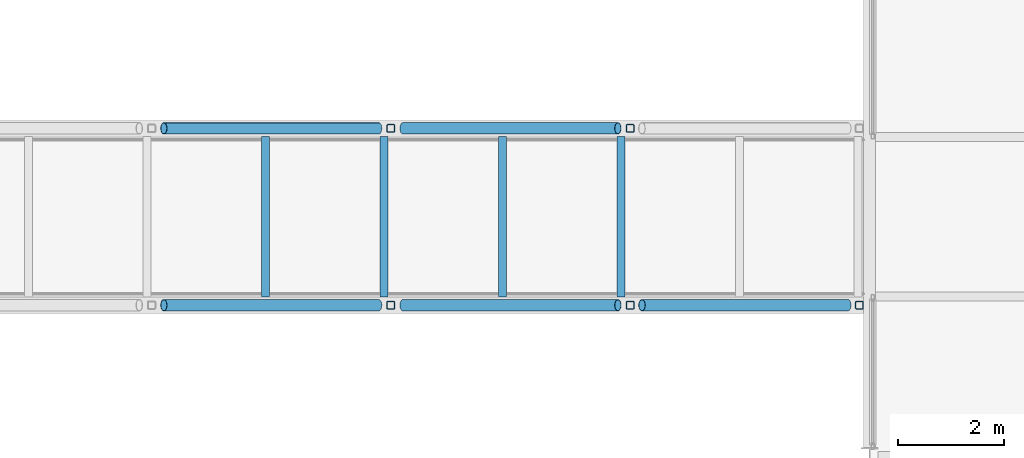
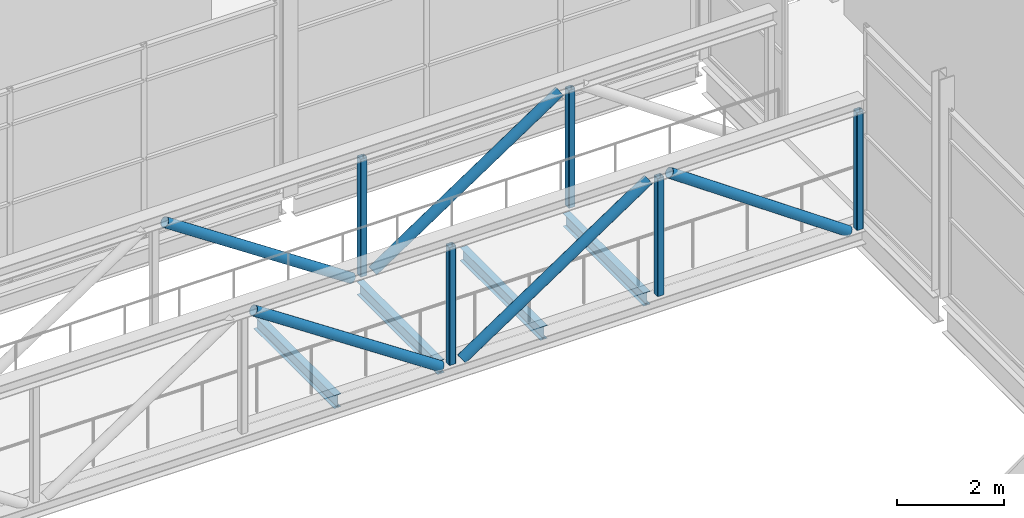
# One storey, part 64 of 115: 10 members, 4 beams.
"""IFC4 building model written with IfcOpenShell, lengths in metres."""

from ifc_helpers import new_model, si_unit, direction, frame, origin, origin_2d, place, context, subcontext, project, spatial, hollow_rectangle, hollow_circle, i_section, extrude, material, material_profile, profile_set, type_object, element, save


model = new_model("IFC4")

# Units and contexts
model_context = context("Model", 3, precision=1e-05, world=origin(), true_north=direction((0.0, 1.0)))
body_context = subcontext(model_context, "Body", "Model", "MODEL_VIEW")
ifc_project = project(units=[si_unit("LENGTHUNIT", "METRE"), si_unit("AREAUNIT", "SQUARE_METRE"), si_unit("VOLUMEUNIT", "CUBIC_METRE"), si_unit("PLANEANGLEUNIT", "RADIAN"), si_unit("MASSUNIT", "GRAM", prefix="KILO")], contexts=[model_context])

# Site, building, storey
site_placement = place(None, origin())
site = spatial("IfcSite", under=ifc_project, at=site_placement, CompositionType="ELEMENT")
building_placement = place(site_placement, origin())
building = spatial("IfcBuilding", under=site, at=building_placement, Name="Shorebreak Coast Museum", CompositionType="ELEMENT")
storey_placement = place(building_placement, frame((0.0, 0.0, 11.0)))
storey = spatial("IfcBuildingStorey", under=building, at=storey_placement, Name="L02", CompositionType="ELEMENT", Elevation=11.0)

# Beams
ifc_material_1 = material(Name="Steel Grade 300", Category="steel")
ifc_material_profile_1 = material_profile(ifc_material_1, i_section(OverallWidth=0.14892578125, OverallDepth=0.298095703125, WebThickness=0.005615234375, FlangeThickness=0.008056640625, FilletRadius=0.012939453125, at=origin_2d()), Name="310UB32.0")
ifc_profile_set_1 = profile_set([ifc_material_profile_1], Name="Steel Grade 300")
beam_type = type_object("IfcBeamType", Name="Atrium bridge cross beam 310UB32.0", PredefinedType="BEAM", material=ifc_profile_set_1)
for number, where, z_axis, x_axis, name in (
    (1, (96.642822265625, 74.989990234375, -0.323974609375), (0.0, 1.0, 0.0), (-1.0, 0.0, 0.0), "Atrium bridge cross beam BR1 16"),
    (2, (98.871337890625, 74.989990234375, -0.323974609375), (0.0, 1.0, 0.0), (-1.0, 0.0, 0.0), "Atrium bridge cross beam BR1 17"),
    (3, (101.099853515625, 74.989990234375, -0.323974609375), (0.0, 1.0, 0.0), (-1.0, 0.0, 0.0), "Atrium bridge cross beam BR1 18"),
    (4, (103.328369140625, 74.989990234375, -0.323974609375), (0.0, 1.0, 0.0), (-1.0, 0.0, 0.0), "Atrium bridge cross beam BR1 19"),
):
    element("IfcBeam", number, at=place(storey_placement, frame(where, z_axis=z_axis, x_axis=x_axis)), inside=storey, type_object=beam_type, Name=name, PredefinedType="BEAM", context=body_context, shape_type="SweptSolid", body=[
        extrude(i_section(OverallWidth=0.14892578125, OverallDepth=0.298095703125, WebThickness=0.005615234375, FlangeThickness=0.008056640625, FilletRadius=0.012939453125, at=origin_2d()), origin(), (0.0, 0.0, 1.0), 3.02001953125),
    ])

# Members
ifc_material_2 = material(Name="Steel Grade C350L0", Category="steel")
ifc_material_profile_2 = material_profile(ifc_material_2, hollow_circle(Radius=0.109619140625, WallThickness=0.00830078125, at=origin_2d()), Name="219.1x8.2 CHS")
ifc_profile_set_2 = profile_set([ifc_material_profile_2], Name="Steel Grade C350L0")
member_type_1 = type_object("IfcMemberType", Name="Atrium bridge truss diagonal 219.1x8.2 CHS", PredefinedType="BRACE", material=ifc_profile_set_2)
for number, where, z_axis, x_axis, name in (
    (5, (98.76904296875, 74.83740234375, -0.175048828125), (-0.832042555046, 0.0, 0.554711804987), (0.0, -1.0, 0.0), "Atrium bridge truss BR1 side A diagonal D08"),
    (6, (99.23095703125, 74.83740234375, -0.175048828125), (0.832042555046, 0.0, 0.554711804987), (0.0, 1.0, 0.0), "Atrium bridge truss BR1 side A diagonal D09"),
):
    element("IfcMember", number, at=place(storey_placement, frame(where, z_axis=z_axis, x_axis=x_axis)), inside=storey, type_object=member_type_1, Name=name, PredefinedType="BRACE", context=body_context, shape_type="SweptSolid", body=[
        extrude(hollow_circle(Radius=0.109619140625, WallThickness=0.00830078125, at=origin_2d()), origin(), (0.0, 0.0, 1.0), 4.853271484375),
    ])
member_placement = place(storey_placement, frame((107.589111328125, 74.83740234375, -0.175048828125), z_axis=(-0.820764739415, 0.0, 0.571266349904), x_axis=(0.0, -1.0, 0.0)))
element("IfcMember", 7, at=member_placement, inside=storey, type_object=member_type_1, Name="Atrium bridge truss BR1 side A diagonal D10", PredefinedType="BRACE", context=body_context, shape_type="SweptSolid", body=[
    extrude(hollow_circle(Radius=0.109619140625, WallThickness=0.00830078125, at=origin_2d()), origin(), (0.0, 0.0, 1.0), 4.712646484375),
])
for number, where, z_axis, x_axis, name in (
    (8, (98.76904296875, 78.16259765625, -0.175048828125), (-0.832042555046, 0.0, 0.554711804987), (0.0, -1.0, 0.0), "Atrium bridge truss BR1 side B diagonal D08"),
    (9, (99.23095703125, 78.16259765625, -0.175048828125), (0.832042555046, 0.0, 0.554711804987), (0.0, 1.0, 0.0), "Atrium bridge truss BR1 side B diagonal D09"),
):
    element("IfcMember", number, at=place(storey_placement, frame(where, z_axis=z_axis, x_axis=x_axis)), inside=storey, type_object=member_type_1, Name=name, PredefinedType="BRACE", context=body_context, shape_type="SweptSolid", body=[
        extrude(hollow_circle(Radius=0.109619140625, WallThickness=0.00830078125, at=origin_2d()), origin(), (0.0, 0.0, 1.0), 4.853271484375),
    ])
ifc_material_3 = material(Name="Steel Grade C450L0", Category="steel")
ifc_material_profile_3 = material_profile(ifc_material_3, hollow_rectangle(XDim=0.14990234375, YDim=0.14990234375, WallThickness=0.009033203125, InnerFilletRadius=0.013427734375, OuterFilletRadius=0.0224609375, at=origin_2d()), Name="150x150x9.0 SHS")
ifc_profile_set_3 = profile_set([ifc_material_profile_3], Name="Steel Grade C450L0")
member_type_2 = type_object("IfcMemberType", Name="Atrium bridge truss strut 150x150x9.0 SHS", PredefinedType="STRUT", material=ifc_profile_set_3)
for number, where, z_axis, x_axis, name in (
    (10, (99.0, 74.83740234375, -0.175048828125), (0.0, 0.0, 1.0), (1.0, 0.0, 0.0), "Atrium bridge truss BR1 side A strut V09"),
    (11, (103.5, 74.83740234375, -0.175048828125), (0.0, 0.0, 1.0), (1.0, 0.0, 0.0), "Atrium bridge truss BR1 side A strut V10"),
    (12, (107.810546875, 74.83740234375, -0.175048828125), (0.0, 0.0, 1.0), (1.0, 0.0, 0.0), "Atrium bridge truss BR1 side A strut V11"),
    (13, (99.0, 78.16259765625, -0.175048828125), (0.0, 0.0, 1.0), (1.0, 0.0, 0.0), "Atrium bridge truss BR1 side B strut V09"),
    (14, (103.5, 78.16259765625, -0.175048828125), (0.0, 0.0, 1.0), (1.0, 0.0, 0.0), "Atrium bridge truss BR1 side B strut V10"),
):
    element("IfcMember", number, at=place(storey_placement, frame(where, z_axis=z_axis, x_axis=x_axis)), inside=storey, type_object=member_type_2, Name=name, PredefinedType="STRUT", context=body_context, shape_type="SweptSolid", body=[
        extrude(hollow_rectangle(XDim=0.14990234375, YDim=0.14990234375, WallThickness=0.009033203125, InnerFilletRadius=0.013427734375, OuterFilletRadius=0.0224609375, at=origin_2d()), origin(), (0.0, 0.0, 1.0), 2.692138671875),
    ])

save(model, "model.ifc")
